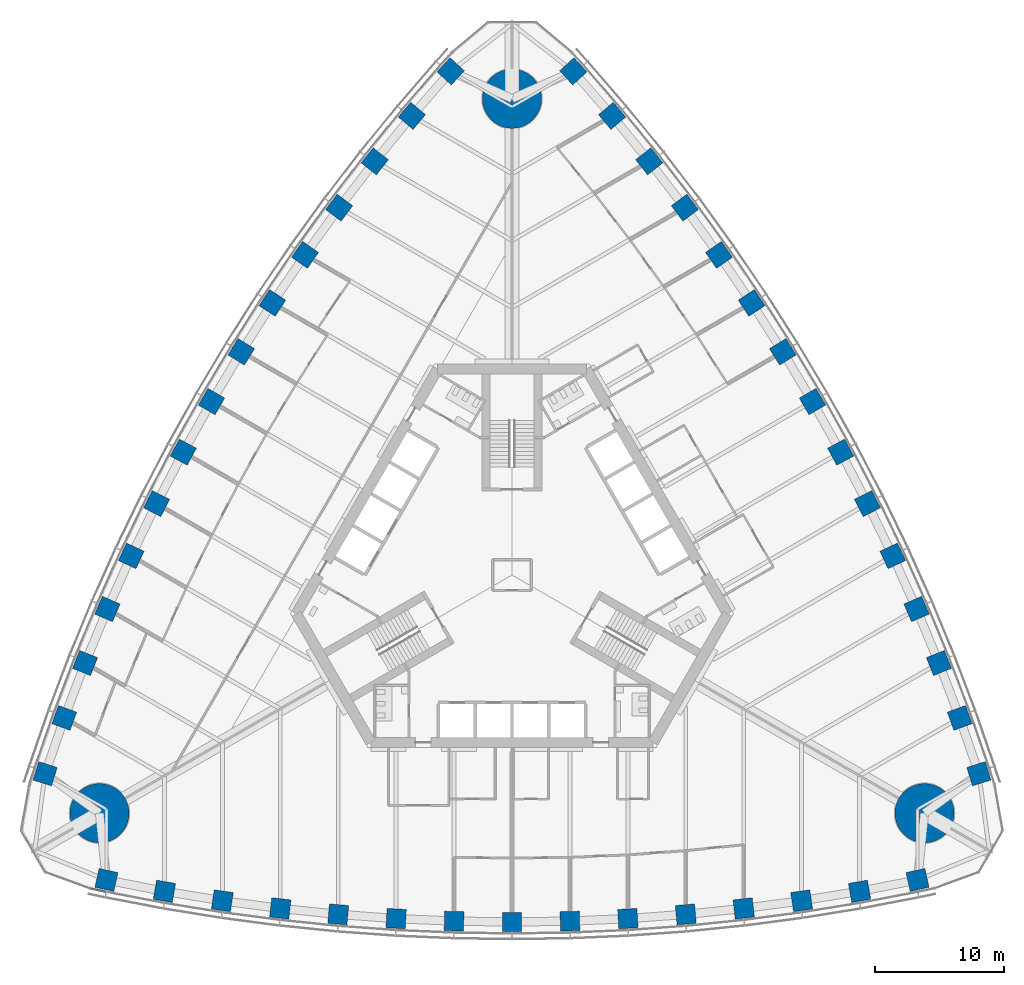
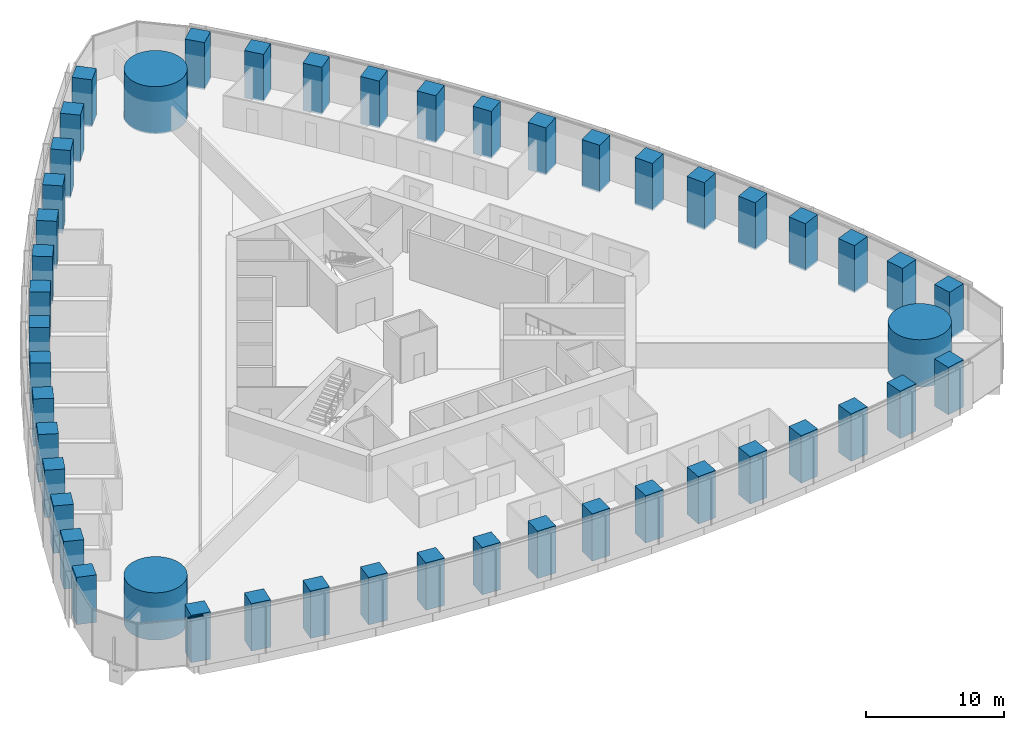
# One storey, part 1 of 18: 48 columns, 1 member, 1 element without a shape of its own.
"""IFC4 building model written with IfcOpenShell, lengths in metres."""

from ifc_helpers import new_model, si_unit, direction, frame, origin, origin_2d, place, context, subcontext, project, spatial, rectangle, circle, extrude, material, material_profile, profile_set, type_object, element, aggregate, save


model = new_model("IFC4")

# Units and contexts
model_context = context("Model", 3, precision=1e-05, world=origin(), true_north=direction((0.0, 1.0)))
body_context = subcontext(model_context, "Body", "Model", "MODEL_VIEW")
ifc_project = project(units=[si_unit("LENGTHUNIT", "METRE"), si_unit("AREAUNIT", "SQUARE_METRE"), si_unit("VOLUMEUNIT", "CUBIC_METRE"), si_unit("PLANEANGLEUNIT", "RADIAN"), si_unit("MASSUNIT", "GRAM", prefix="KILO")], contexts=[model_context])

# Site, building, storey
site_placement = place(None, origin())
site = spatial("IfcSite", under=ifc_project, at=site_placement, CompositionType="ELEMENT")
building_placement = place(site_placement, origin())
building = spatial("IfcBuilding", under=site, at=building_placement, Name="Trefoil Bronze Tower", CompositionType="ELEMENT")
storey_placement = place(building_placement, frame((0.0, 0.0, 24.89990234375)))
storey = spatial("IfcBuildingStorey", under=building, at=storey_placement, Name="L05", CompositionType="ELEMENT", Elevation=24.89990234375)

# Columns
ifc_material_1 = material(Name="Concrete B80", Category="concrete")
ifc_material_profile_1 = material_profile(ifc_material_1, circle(Radius=2.300048828125, at=origin_2d()), Name="RC D4600")
ifc_profile_set_1 = profile_set([ifc_material_profile_1], Name="Concrete B80")
column_type_1 = type_object("IfcColumnType", Name="Mega column RC D4600", PredefinedType="COLUMN", material=ifc_profile_set_1)
for number, where, z_axis, x_axis, name in (
    (1, (32.04296875, -18.5, 0.0), (0.0, 0.0, 1.0), (1.0, 0.0, 0.0), "Mega column K1 L05"),
    (2, (0.0, 37.0, 0.0), (0.0, 0.0, 1.0), (1.0, 0.0, 0.0), "Mega column K2 L05"),
    (3, (-32.04296875, -18.5, 0.0), (0.0, 0.0, 1.0), (1.0, 0.0, 0.0), "Mega column K3 L05"),
):
    element("IfcColumn", number, at=place(storey_placement, frame(where, z_axis=z_axis, x_axis=x_axis)), inside=storey, type_object=column_type_1, Name=name, PredefinedType="COLUMN", context=body_context, shape_type="SweptSolid", body=[
        extrude(circle(Radius=2.300048828125, at=origin_2d()), origin(), (0.0, 0.0, 1.0), 4.2001953125),
    ])
ifc_material_2 = material(Name="Concrete B80", Category="concrete")
ifc_material_profile_2 = material_profile(ifc_material_2, rectangle(XDim=1.5, YDim=1.5, at=origin_2d()), Name="RC 1500x1500")
ifc_profile_set_2 = profile_set([ifc_material_profile_2], Name="Concrete B80")
column_type_2 = type_object("IfcColumnType", Name="Tube column RC 1500x1500", PredefinedType="COLUMN", material=ifc_profile_set_2)
for number, where, z_axis, x_axis, name in (
    (4, (-31.5, -23.684814453125, 0.0), (0.0, 0.0, 1.0), (0.976229647342, -0.216738726697, 0.0), "Tube column F1/-7 L05"),
    (5, (-27.0, -24.56787109375, 0.0), (0.0, 0.0, 1.0), (0.984722470468, -0.174131146426, 0.0), "Tube column F1/-6 L05"),
    (6, (-22.5, -25.29931640625, 0.0), (0.0, 0.0, 1.0), (0.989415676546, -0.145108990094, 0.0), "Tube column F1/-5 L05"),
    (7, (-18.0, -25.895263671875, 0.0), (0.0, 0.0, 1.0), (0.993239048989, -0.116086999973, 0.0), "Tube column F1/-4 L05"),
    (8, (-13.5, -26.35693359375, 0.0), (0.0, 0.0, 1.0), (0.996202620701, -0.087065139456, 0.0), "Tube column F1/-3 L05"),
    (9, (-9.0, -26.68603515625, 0.0), (0.0, 0.0, 1.0), (0.998314062162, -0.058043374207, 0.0), "Tube column F1/-2 L05"),
    (10, (-4.5, -26.883056640625, 0.0), (0.0, 0.0, 1.0), (0.999578782577, -0.029021671584, 0.0), "Tube column F1/-1 L05"),
    (11, (0.0, -26.94873046875, 0.0), (0.0, 0.0, 1.0), (1.0, 0.0, 0.0), "Tube column F1/+0 L05"),
    (12, (4.5, -26.883056640625, 0.0), (0.0, 0.0, 1.0), (0.999578782577, 0.029021671584, 0.0), "Tube column F1/+1 L05"),
    (13, (9.0, -26.68603515625, 0.0), (0.0, 0.0, 1.0), (0.998314062162, 0.058043374207, 0.0), "Tube column F1/+2 L05"),
    (14, (13.5, -26.35693359375, 0.0), (0.0, 0.0, 1.0), (0.996202620701, 0.087065139456, 0.0), "Tube column F1/+3 L05"),
    (15, (18.0, -25.895263671875, 0.0), (0.0, 0.0, 1.0), (0.993239048989, 0.116086999973, 0.0), "Tube column F1/+4 L05"),
    (16, (22.5, -25.29931640625, 0.0), (0.0, 0.0, 1.0), (0.989415676546, 0.145108990094, 0.0), "Tube column F1/+5 L05"),
    (17, (27.0, -24.56787109375, 0.0), (0.0, 0.0, 1.0), (0.984722470468, 0.174131146426, 0.0), "Tube column F1/+6 L05"),
    (18, (31.5, -23.684814453125, 0.0), (0.0, 0.0, 1.0), (0.976229647342, 0.216738726697, 0.0), "Tube column F1/+7 L05"),
    (19, (36.26171875, -15.4375, 0.0), (0.0, 0.0, 1.0), (-0.300413580368, 0.953809037874, 0.0), "Tube column F2/-7 L05"),
    (20, (34.7763671875, -11.0986328125, 0.0), (0.0, 0.0, 1.0), (-0.341559238839, 0.939860248316, 0.0), "Tube column F2/-6 L05"),
    (21, (33.159912109375, -6.8359375, 0.0), (0.0, 0.0, 1.0), (-0.369039766534, 0.929413605838, 0.0), "Tube column F2/-5 L05"),
    (22, (31.42578125, -2.640869140625, 0.0), (0.0, 0.0, 1.0), (-0.396085233469, 0.918213748442, 0.0), "Tube column F2/-4 L05"),
    (23, (29.575927734375, 1.487060546875, 0.0), (0.0, 0.0, 1.0), (-0.422700687798, 0.906269346572, 0.0), "Tube column F2/-3 L05"),
    (24, (27.61083984375, 5.548828125, 0.0), (0.0, 0.0, 1.0), (-0.448889994497, 0.893587025891, 0.0), "Tube column F2/-2 L05"),
    (25, (25.531494140625, 9.54443359375, 0.0), (0.0, 0.0, 1.0), (-0.474655886437, 0.880171454588, 0.0), "Tube column F2/-1 L05"),
    (26, (23.33837890625, 13.474365234375, 0.0), (0.0, 0.0, 1.0), (-0.5, 0.866025403784, 0.0), "Tube column F2/+0 L05"),
    (27, (21.031494140625, 17.338623046875, 0.0), (0.0, 0.0, 1.0), (-0.524922896141, 0.851149783004, 0.0), "Tube column F2/+1 L05"),
    (28, (18.61083984375, 21.13720703125, 0.0), (0.0, 0.0, 1.0), (-0.549424067665, 0.835543651684, 0.0), "Tube column F2/+2 L05"),
    (29, (16.075927734375, 24.869873046875, 0.0), (0.0, 0.0, 1.0), (-0.573501932903, 0.819204207116, 0.0), "Tube column F2/+3 L05"),
    (30, (13.42578125, 28.5361328125, 0.0), (0.0, 0.0, 1.0), (-0.59715381552, 0.802126748469, 0.0), "Tube column F2/+4 L05"),
    (31, (10.659912109375, 32.13525390625, 0.0), (0.0, 0.0, 1.0), (-0.620375910011, 0.784304615744, 0.0), "Tube column F2/+5 L05"),
    (32, (7.7763671875, 35.666748046875, 0.0), (0.0, 0.0, 1.0), (-0.643163231629, 0.765729101889, 0.0), "Tube column F2/+6 L05"),
    (33, (4.76171875, 39.122314453125, 0.0), (0.0, 0.0, 1.0), (-0.675816066975, 0.737070311177, 0.0), "Tube column F2/+7 L05"),
    (34, (-4.76171875, 39.122314453125, 0.0), (0.0, 0.0, 1.0), (-0.675816066975, -0.737070311177, 0.0), "Tube column F3/-7 L05"),
    (35, (-7.7763671875, 35.666748046875, 0.0), (0.0, 0.0, 1.0), (-0.643163231629, -0.765729101889, 0.0), "Tube column F3/-6 L05"),
    (36, (-10.659912109375, 32.13525390625, 0.0), (0.0, 0.0, 1.0), (-0.620375910011, -0.784304615744, 0.0), "Tube column F3/-5 L05"),
    (37, (-13.42578125, 28.5361328125, 0.0), (0.0, 0.0, 1.0), (-0.59715381552, -0.802126748469, 0.0), "Tube column F3/-4 L05"),
    (38, (-16.075927734375, 24.869873046875, 0.0), (0.0, 0.0, 1.0), (-0.573501932903, -0.819204207116, 0.0), "Tube column F3/-3 L05"),
    (39, (-18.61083984375, 21.13720703125, 0.0), (0.0, 0.0, 1.0), (-0.549424067665, -0.835543651684, 0.0), "Tube column F3/-2 L05"),
    (40, (-21.031494140625, 17.338623046875, 0.0), (0.0, 0.0, 1.0), (-0.524922896141, -0.851149783004, 0.0), "Tube column F3/-1 L05"),
    (41, (-23.33837890625, 13.474365234375, 0.0), (0.0, 0.0, 1.0), (-0.5, -0.866025403784, 0.0), "Tube column F3/+0 L05"),
    (42, (-25.531494140625, 9.54443359375, 0.0), (0.0, 0.0, 1.0), (-0.474655886437, -0.880171454588, 0.0), "Tube column F3/+1 L05"),
    (43, (-27.61083984375, 5.548828125, 0.0), (0.0, 0.0, 1.0), (-0.448889994497, -0.893587025891, 0.0), "Tube column F3/+2 L05"),
    (44, (-29.575927734375, 1.487060546875, 0.0), (0.0, 0.0, 1.0), (-0.422700687798, -0.906269346572, 0.0), "Tube column F3/+3 L05"),
    (45, (-31.42578125, -2.640869140625, 0.0), (0.0, 0.0, 1.0), (-0.396085233469, -0.918213748442, 0.0), "Tube column F3/+4 L05"),
    (46, (-33.159912109375, -6.8359375, 0.0), (0.0, 0.0, 1.0), (-0.369039766534, -0.929413605838, 0.0), "Tube column F3/+5 L05"),
    (47, (-34.7763671875, -11.0986328125, 0.0), (0.0, 0.0, 1.0), (-0.341559238839, -0.939860248316, 0.0), "Tube column F3/+6 L05"),
    (48, (-36.26171875, -15.4375, 0.0), (0.0, 0.0, 1.0), (-0.300413580368, -0.953809037874, 0.0), "Tube column F3/+7 L05"),
):
    element("IfcColumn", number, at=place(storey_placement, frame(where, z_axis=z_axis, x_axis=x_axis)), inside=storey, type_object=column_type_2, Name=name, PredefinedType="COLUMN", context=body_context, shape_type="SweptSolid", body=[
        extrude(rectangle(XDim=1.5, YDim=1.5, at=origin_2d()), origin(), (0.0, 0.0, 1.0), 4.2001953125),
    ])

# Curtain wall, member
ifc_material_3 = material(Name="Tinted solar-control glass", Category="glass")
curtain_wall_type = type_object("IfcCurtainWallType", Name="Bronze office curtain wall", PredefinedType="USERDEFINED", material=ifc_material_3)
curtain_wall_placement = place(storey_placement, origin())
curtain_wall = element("IfcCurtainWall", 49, at=curtain_wall_placement, inside=storey, type_object=curtain_wall_type, Name="CW-A L05 F1", ObjectType="CURTAIN WALL", PredefinedType="USERDEFINED")
ifc_material_4 = material(Name="Bronze-finish aluminium", Category="aluminium")
ifc_material_profile_3 = material_profile(ifc_material_4, rectangle(XDim=0.1201171875, YDim=0.10009765625, at=origin_2d()), Name="CW-A transom")
ifc_profile_set_3 = profile_set([ifc_material_profile_3], Name="Bronze-finish aluminium")
member_type = type_object("IfcMemberType", Name="Bronze office curtain wall transom", PredefinedType="USERDEFINED", material=ifc_profile_set_3)
member_placement = place(storey_placement, frame((-32.743896484375, -24.354736328125, 4.130126953125), z_axis=(0.978266371807, -0.207352129942, 0.0), x_axis=(0.207352129942, 0.978266371807, 0.0)))
member = element("IfcMember", 50, at=member_placement, type_object=member_type, Name="CW-A L05 F1 transom 1", ObjectType="TRANSOM", PredefinedType="USERDEFINED", context=body_context, shape_type="SweptSolid", body=[
    extrude(rectangle(XDim=0.1201171875, YDim=0.10009765625, at=origin_2d()), origin(), (0.0, 0.0, 1.0), 1.21044921875),
])
aggregate(curtain_wall, [member])

save(model, "model.ifc")
